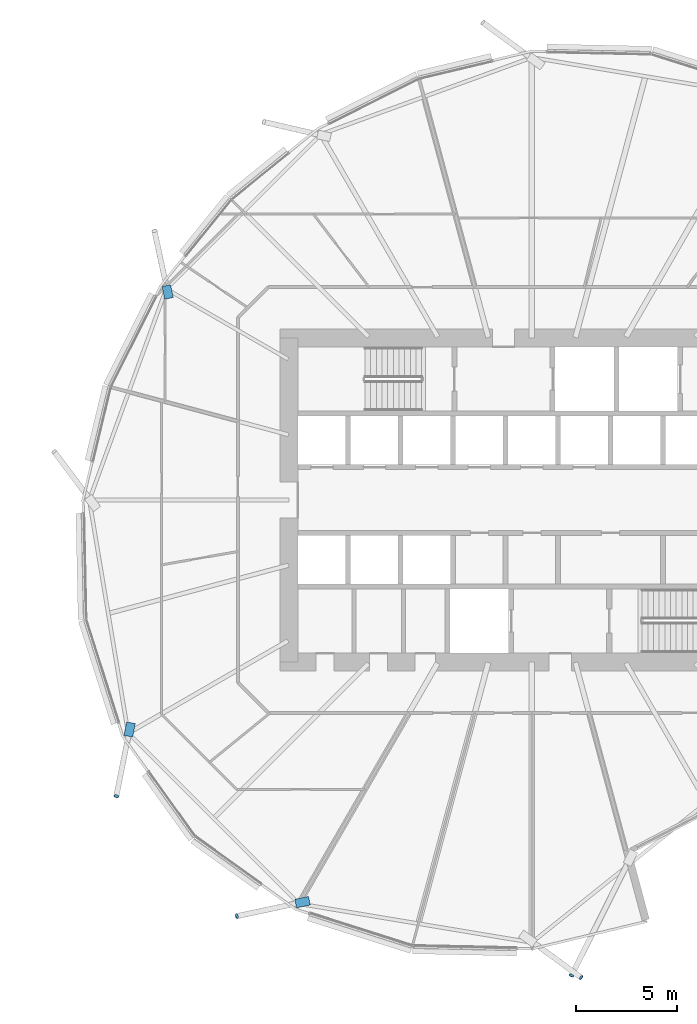
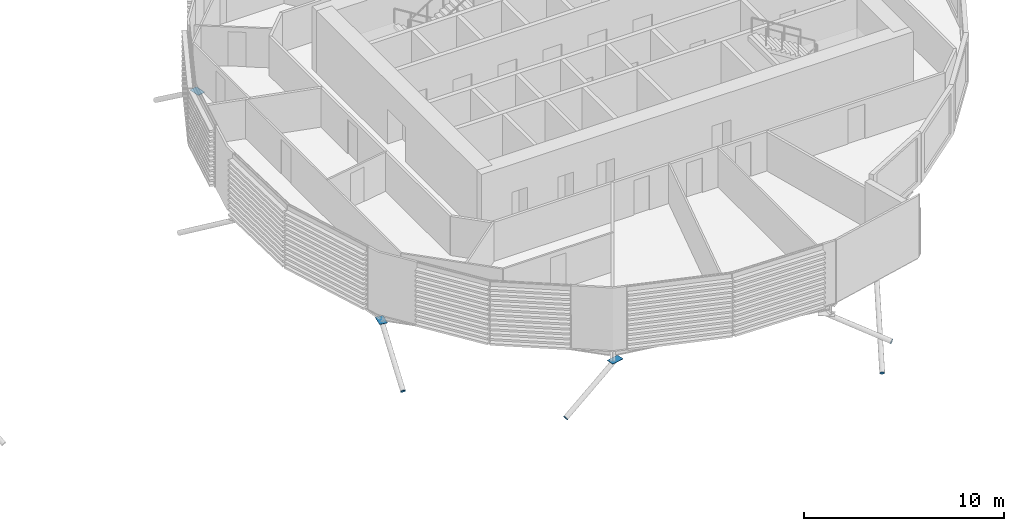
# One storey, part 30 of 38: 7 discrete accessories.
"""IFC4 building model written with IfcOpenShell, lengths in metres."""

from ifc_helpers import new_model, si_unit, direction, frame, origin, origin_2d, place, context, subcontext, project, spatial, polyline, rectangle, circle, outline, extrude, material, material_profile, profile_set, type_object, element, save


model = new_model("IFC4")

# Units and contexts
model_context = context("Model", 3, precision=1e-05, world=origin(), true_north=direction((0.0, 1.0)))
body_context = subcontext(model_context, "Body", "Model", "MODEL_VIEW")
ifc_project = project(units=[si_unit("LENGTHUNIT", "METRE"), si_unit("AREAUNIT", "SQUARE_METRE"), si_unit("VOLUMEUNIT", "CUBIC_METRE"), si_unit("PLANEANGLEUNIT", "RADIAN"), si_unit("MASSUNIT", "GRAM", prefix="KILO")], contexts=[model_context])

# Site, building, storey
site_placement = place(None, origin())
site = spatial("IfcSite", under=ifc_project, at=site_placement, CompositionType="ELEMENT")
building_placement = place(site_placement, origin())
building = spatial("IfcBuilding", under=site, at=building_placement, Name="Rimbun Link Towers", CompositionType="ELEMENT")
storey_placement = place(building_placement, frame((0.0, 0.0, 71.800048828125)))
storey = spatial("IfcBuildingStorey", under=building, at=storey_placement, Name="L17", CompositionType="ELEMENT", Elevation=71.800048828125)

# Discrete accessories
ifc_material_1 = material(Name="Steel S355J2H", Category="steel")
ifc_material_profile_1 = material_profile(ifc_material_1, circle(Radius=0.1240234375, at=origin_2d()), Name="PL D248")
ifc_profile_set_1 = profile_set([ifc_material_profile_1], Name="Steel S355J2H")
discrete_accessory_type_1 = type_object("IfcDiscreteAccessoryType", Name="Link foot sealing plate D248X20", PredefinedType="BRACKET", material=ifc_profile_set_1)
discrete_accessory_1_placement = place(storey_placement, frame((11.214111328125, -14.632568359375, -2.787353515625), z_axis=(-0.15951220433, -0.834371530343, -0.527617291246), x_axis=(0.982211915114, -0.187775807301, 0.0)))
element("IfcDiscreteAccessory", 1, at=discrete_accessory_1_placement, inside=storey, type_object=discrete_accessory_type_1, Name="Link foot sealing plate T2 L17 11", PredefinedType="BRACKET", context=body_context, shape_type="SweptSolid", body=[
    extrude(circle(Radius=0.1240234375, at=origin_2d()), origin(), (0.0, 0.0, 1.0), 0.019775390625),
])
discrete_accessory_2_placement = place(storey_placement, frame((17.1767578125, -20.567626953125, -2.908935546875), z_axis=(-0.845052835203, -0.183707138088, -0.502132844106), x_axis=(0.212429644331, -0.977176363923, 0.0)))
element("IfcDiscreteAccessory", 2, at=discrete_accessory_2_placement, inside=storey, type_object=discrete_accessory_type_1, Name="Link foot sealing plate T2 L17 13", PredefinedType="BRACKET", context=body_context, shape_type="SweptSolid", body=[
    extrude(circle(Radius=0.1240234375, at=origin_2d()), origin(), (0.0, 0.0, 1.0), 0.02001953125),
])
for number, where, z_axis, x_axis, name in (
    (3, (34.17822265625, -23.5986328125, -2.36474609375), (0.737837247603, -0.544306166264, -0.399157855261), (0.59364894857, 0.804724130284, 0.0), "Link foot sealing plate T2 L17 15"),
    (4, (33.711669921875, -23.49755859375, -4.187744140625), (-0.399772462433, -0.799544924867, -0.448229730607), (0.894427191, -0.4472135955, 0.0), "Link foot sealing plate T2 L17 16"),
):
    element("IfcDiscreteAccessory", number, at=place(storey_placement, frame(where, z_axis=z_axis, x_axis=x_axis)), inside=storey, type_object=discrete_accessory_type_1, Name=name, PredefinedType="BRACKET", context=body_context, shape_type="SweptSolid", body=[
        extrude(circle(Radius=0.1240234375, at=origin_2d()), origin(), (0.0, 0.0, 1.0), 0.020263671875),
    ])
ifc_material_2 = material(Name="Steel S355J2H", Category="steel")
ifc_material_profile_2 = material_profile(ifc_material_2, rectangle(XDim=0.43310546875, YDim=0.43310546875, at=origin_2d()), Name="PL 433x433")
ifc_profile_set_2 = profile_set([ifc_material_profile_2], Name="Steel S355J2H")
discrete_accessory_type_2 = type_object("IfcDiscreteAccessoryType", Name="Link head end plate 433X20", PredefinedType="BRACKET", material=ifc_profile_set_2)
discrete_accessory_3_placement = place(storey_placement, frame((0.0, 0.0, -0.53515625)))
element("IfcDiscreteAccessory", 5, at=discrete_accessory_3_placement, inside=storey, type_object=discrete_accessory_type_2, Name="Link head end plate T2 L17 07", PredefinedType="BRACKET", context=body_context, shape_type="SweptSolid", body=[
    extrude(outline(polyline([(14.028564453125, 10.010498046875), (13.8935546875, 10.63671875), (13.47021484375, 10.54541015625), (13.605224609375, 9.919189453125), (14.028564453125, 10.010498046875)])), origin(), (0.0, 0.0, 1.0), 0.02001953125),
])
discrete_accessory_4_placement = place(storey_placement, frame((0.0, 0.0, -0.713134765625)))
element("IfcDiscreteAccessory", 6, at=discrete_accessory_4_placement, inside=storey, type_object=discrete_accessory_type_2, Name="Link head end plate T2 L17 11", PredefinedType="BRACKET", context=body_context, shape_type="SweptSolid", body=[
    extrude(outline(polyline([(11.72412109375, -10.967041015625), (11.59130859375, -11.633056640625), (12.015869140625, -11.7177734375), (12.148681640625, -11.0517578125), (11.72412109375, -10.967041015625)])), origin(), (0.0, 0.0, 1.0), 0.02001953125),
])
discrete_accessory_5_placement = place(storey_placement, frame((0.0, 0.0, -0.942138671875)))
element("IfcDiscreteAccessory", 7, at=discrete_accessory_5_placement, inside=storey, type_object=discrete_accessory_type_2, Name="Link head end plate T2 L17 13", PredefinedType="BRACKET", context=body_context, shape_type="SweptSolid", body=[
    extrude(outline(polyline([(20.7099609375, -19.592041015625), (20.030517578125, -19.737060546875), (20.12109375, -20.160400390625), (20.80029296875, -20.015380859375), (20.7099609375, -19.592041015625)])), origin(), (0.0, 0.0, 1.0), 0.019775390625),
])

save(model, "model.ifc")
